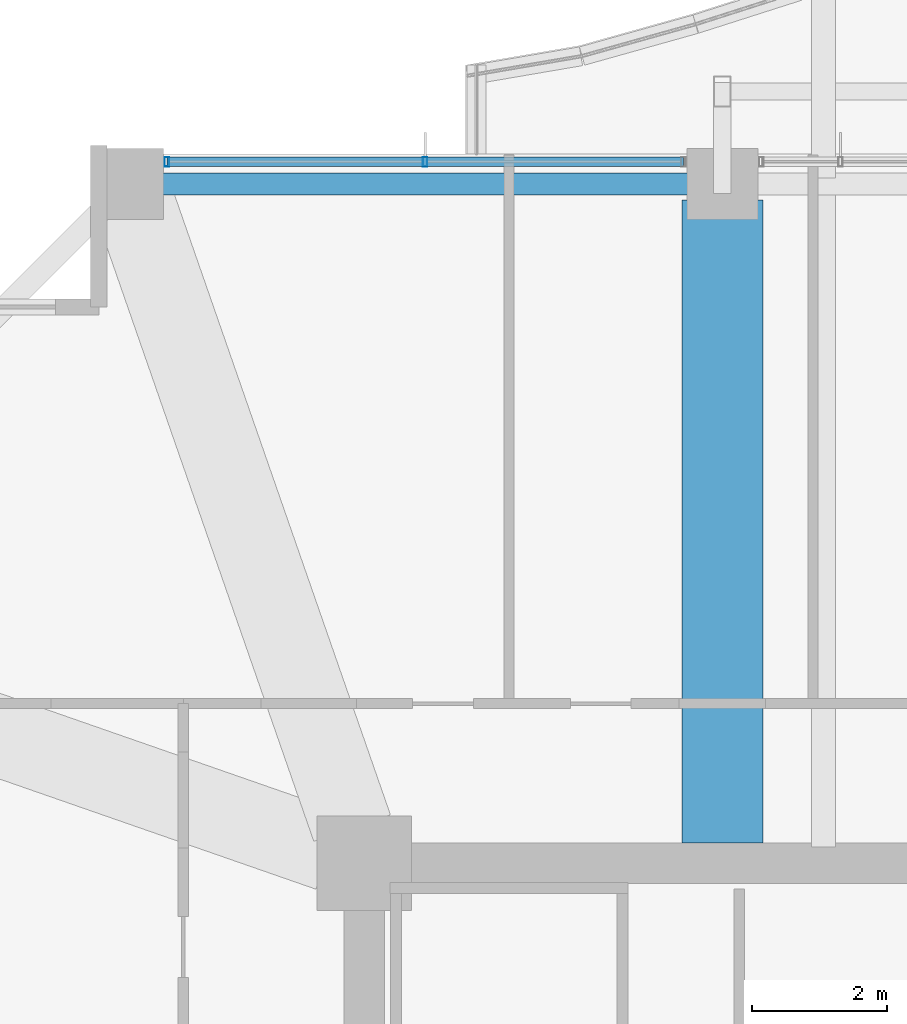
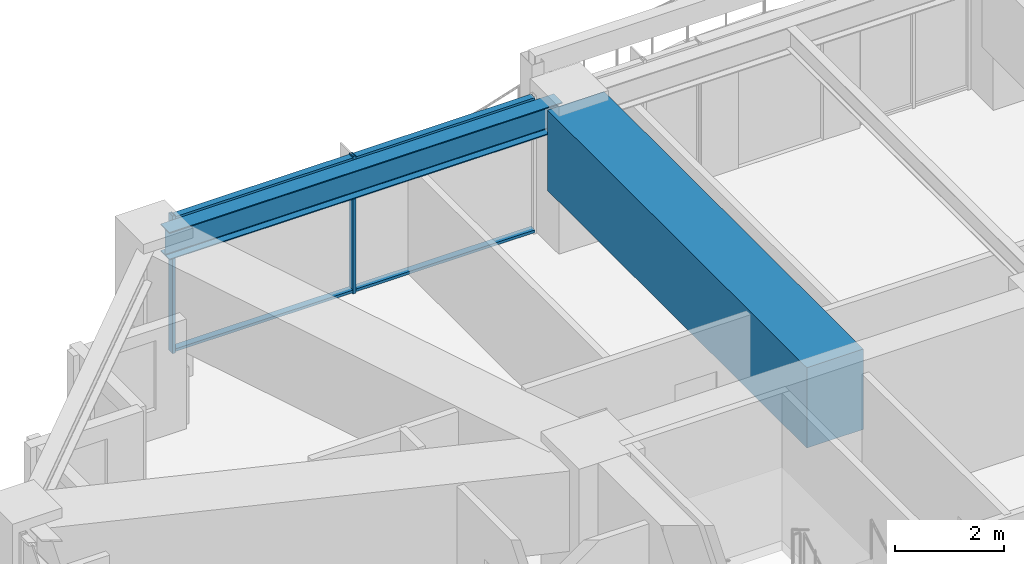
# One storey, part 21 of 39: 4 members, 2 beams, 1 element without a shape of its own.
"""IFC4 building model written with IfcOpenShell, lengths in metres."""

from ifc_helpers import new_model, si_unit, direction, frame, origin, origin_2d, place, context, subcontext, project, spatial, rectangle, hollow_rectangle, i_section, extrude, material, material_profile, profile_set, type_object, element, aggregate, save


model = new_model("IFC4")

# Units and contexts
model_context = context("Model", 3, precision=1e-05, world=origin(), true_north=direction((0.0, 1.0)))
body_context = subcontext(model_context, "Body", "Model", "MODEL_VIEW")
ifc_project = project(units=[si_unit("LENGTHUNIT", "METRE"), si_unit("AREAUNIT", "SQUARE_METRE"), si_unit("VOLUMEUNIT", "CUBIC_METRE"), si_unit("PLANEANGLEUNIT", "RADIAN"), si_unit("MASSUNIT", "GRAM", prefix="KILO")], contexts=[model_context])

# Site, building, storey
site_placement = place(None, origin())
site = spatial("IfcSite", under=ifc_project, at=site_placement, CompositionType="ELEMENT")
building_placement = place(site_placement, origin())
building = spatial("IfcBuilding", under=site, at=building_placement, Name="Kolvaren Belvedere", CompositionType="ELEMENT")
storey_placement = place(building_placement, frame((0.0, 0.0, 85.39990234375)))
storey = spatial("IfcBuildingStorey", under=building, at=storey_placement, Name="L24", CompositionType="ELEMENT", Elevation=85.39990234375)

# Beams
ifc_material_1 = material(Name="Structural steel ASTM A992 Grade 50", Category="steel")
ifc_material_profile_1 = material_profile(ifc_material_1, i_section(OverallWidth=0.324951171875, OverallDepth=0.615966796875, WebThickness=0.013916015625, FlangeThickness=0.021484375, FilletRadius=0.02001953125, at=origin_2d()), Name="W24X117")
ifc_profile_set_1 = profile_set([ifc_material_profile_1], Name="Structural steel ASTM A992 Grade 50")
beam_type_1 = type_object("IfcBeamType", Name="BM-SPAN-W24X117", PredefinedType="SPANDREL", material=ifc_profile_set_1)
beam_1_placement = place(storey_placement, frame((-4.836181640625, 19.949951171875, 2.772216796875), z_axis=(-1.0, 0.0, 0.0), x_axis=(0.0, -1.0, 0.0)))
element("IfcBeam", 1, at=beam_1_placement, inside=storey, type_object=beam_type_1, Name="L24 Perimeter Spandrel N2-N1", PredefinedType="SPANDREL", context=body_context, shape_type="SweptSolid", body=[
    extrude(i_section(OverallWidth=0.324951171875, OverallDepth=0.615966796875, WebThickness=0.013916015625, FlangeThickness=0.021484375, FilletRadius=0.02001953125, at=origin_2d()), origin(), (0.0, 0.0, 1.0), 8.32763671875),
])
ifc_material_2 = material(Name="Concrete C50/60", Category="concrete")
ifc_material_profile_2 = material_profile(ifc_material_2, rectangle(XDim=1.199951171875, YDim=1.800048828125, at=origin_2d()), Name="RC 1200X1800")
ifc_profile_set_2 = profile_set([ifc_material_profile_2], Name="Concrete C50/60")
beam_type_2 = type_object("IfcBeamType", Name="BM-TG-1800", PredefinedType="BEAM", material=ifc_profile_set_2)
beam_2_placement = place(storey_placement, frame((-4.60009765625, 10.199951171875, 2.18017578125), z_axis=(0.0, 1.0, 0.0), x_axis=(-1.0, 0.0, 0.0)))
element("IfcBeam", 2, at=beam_2_placement, inside=storey, type_object=beam_type_2, Name="L24 North Radial Girder M", PredefinedType="BEAM", context=body_context, shape_type="SweptSolid", body=[
    extrude(rectangle(XDim=1.199951171875, YDim=1.800048828125, at=origin_2d()), origin(), (0.0, 0.0, 1.0), 9.513916015625),
])

# Curtain wall, members
ifc_material_3 = material(Name="Anodised pale-metal aluminium AA 6063-T6", Category="aluminium")
curtain_wall_type = type_object("IfcCurtainWallType", Name="CW-Z2-MID", PredefinedType="NOTDEFINED", material=ifc_material_3)
curtain_wall_placement = place(storey_placement, origin())
curtain_wall = element("IfcCurtainWall", 3, at=curtain_wall_placement, inside=storey, type_object=curtain_wall_type, Name="L24 Unitised Curtain Wall FCW-L24-N1-B1", PredefinedType="NOTDEFINED")
ifc_material_4 = material(Name="Anodised pale-metal aluminium AA 6063-T6", Category="aluminium")
ifc_material_profile_3 = material_profile(ifc_material_4, hollow_rectangle(XDim=0.06494140625, YDim=0.139892578125, WallThickness=0.00390625, at=origin_2d()), Name="ALU-MUL-140X65")
ifc_profile_set_3 = profile_set([ifc_material_profile_3], Name="Anodised pale-metal aluminium AA 6063-T6")
member_type_1 = type_object("IfcMemberType", Name="CW-MUL-140", PredefinedType="MULLION", material=ifc_profile_set_3)
member_1_placement = place(storey_placement, frame((-12.822509765625, 20.280029296875, 0.0), z_axis=(0.0, 0.0, 1.0), x_axis=(1.0, 0.0, 0.0)))
member_1 = element("IfcMember", 4, at=member_1_placement, type_object=member_type_1, Name="FCW-L24-N1-B1 Unitised Mullion 1", PredefinedType="MULLION", context=body_context, shape_type="SweptSolid", body=[
    extrude(hollow_rectangle(XDim=0.06494140625, YDim=0.139892578125, WallThickness=0.00390625, at=origin_2d()), origin(), (0.0, 0.0, 1.0), 3.080078125),
])
member_2_placement = place(storey_placement, frame((-9.0, 20.280029296875, 0.0), z_axis=(0.0, 0.0, 1.0), x_axis=(1.0, 0.0, 0.0)))
member_2 = element("IfcMember", 5, at=member_2_placement, type_object=member_type_1, Name="FCW-L24-N1-B1 Unitised Mullion 2", PredefinedType="MULLION", context=body_context, shape_type="SweptSolid", body=[
    extrude(hollow_rectangle(XDim=0.06494140625, YDim=0.139892578125, WallThickness=0.00390625, at=origin_2d()), origin(), (0.0, 0.0, 1.0), 3.080078125),
])
ifc_material_5 = material(Name="Anodised pale-metal aluminium AA 6063-T6", Category="aluminium")
ifc_material_profile_4 = material_profile(ifc_material_5, hollow_rectangle(XDim=0.06005859375, YDim=0.139892578125, WallThickness=0.00390625, at=origin_2d()), Name="ALU-TRN-140X60")
ifc_profile_set_4 = profile_set([ifc_material_profile_4], Name="Anodised pale-metal aluminium AA 6063-T6")
member_type_2 = type_object("IfcMemberType", Name="CW-TRN-140", PredefinedType="USERDEFINED", material=ifc_profile_set_4)
member_3_placement = place(storey_placement, frame((-12.822509765625, 20.280029296875, 0.06005859375), z_axis=(1.0, 0.0, 0.0), x_axis=(0.0, 0.0, 1.0)))
member_3 = element("IfcMember", 6, at=member_3_placement, type_object=member_type_2, Name="FCW-L24-N1-B1 Sill Transom", ObjectType="TRANSOM", PredefinedType="USERDEFINED", context=body_context, shape_type="SweptSolid", body=[
    extrude(hollow_rectangle(XDim=0.06005859375, YDim=0.139892578125, WallThickness=0.00390625, at=origin_2d()), origin(), (0.0, 0.0, 1.0), 7.64501953125),
])
member_4_placement = place(storey_placement, frame((-12.822509765625, 20.280029296875, 3.02001953125), z_axis=(1.0, 0.0, 0.0), x_axis=(0.0, 0.0, 1.0)))
member_4 = element("IfcMember", 7, at=member_4_placement, type_object=member_type_2, Name="FCW-L24-N1-B1 Head Transom", ObjectType="TRANSOM", PredefinedType="USERDEFINED", context=body_context, shape_type="SweptSolid", body=[
    extrude(hollow_rectangle(XDim=0.06005859375, YDim=0.139892578125, WallThickness=0.00390625, at=origin_2d()), origin(), (0.0, 0.0, 1.0), 7.64501953125),
])
aggregate(curtain_wall, [member_1, member_2, member_3, member_4])

save(model, "model.ifc")
